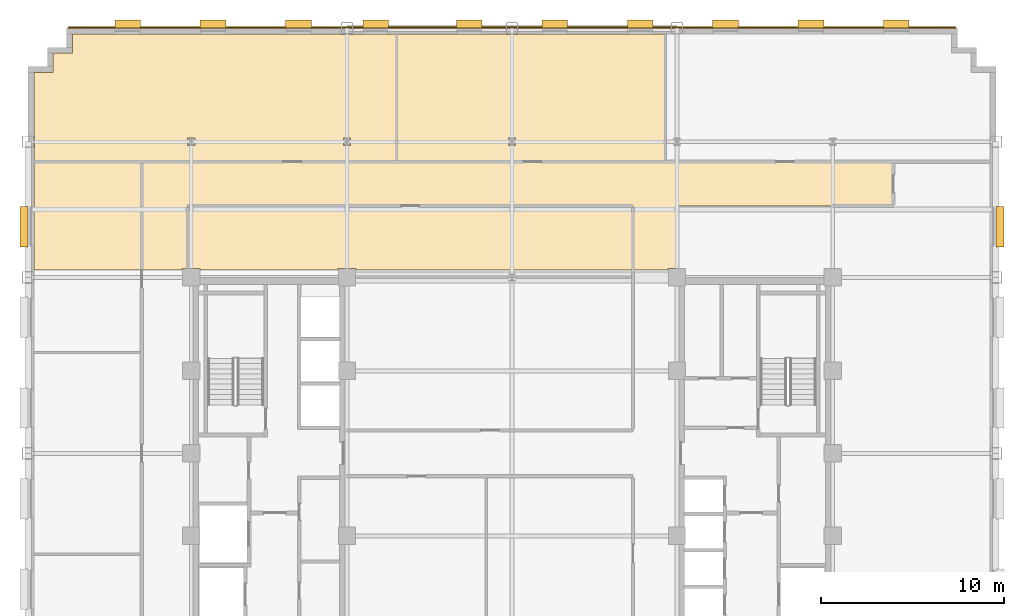
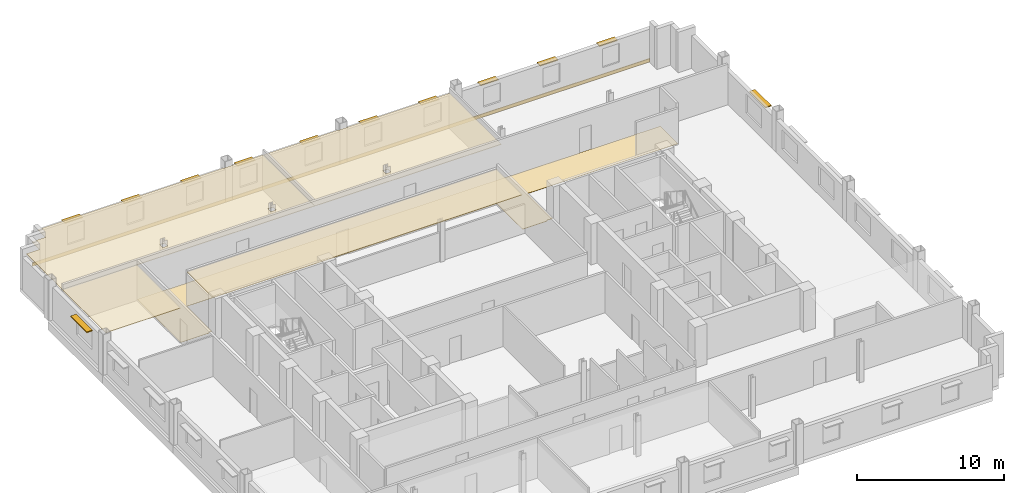
# One storey, part 13 of 13: 12 shading devices, 6 coverings.
"""IFC4 building model written with IfcOpenShell, lengths in metres."""

import ifcopenshell
import ifcopenshell.guid

model = None  # the IFC model being written
_history = None  # IfcOwnerHistory: only IFC2X3 demands one
_inside = {}  # id of a spatial element -> (the spatial element, [elements in it])
_under = {}  # id of a project, library or spatial element -> (it, [spatial elements below it])
_declared = {}  # id of a project -> (the project, [libraries it declares])
_typed = {}  # id of a type object -> (the type object, [elements of that type])
_made_of = {}  # id of a material, layer set ... -> (it, [elements and type objects made of it])


def new_model(schema):
    """Start an empty IFC model of exactly this schema.

    Asked for "IFC4X3", IfcOpenShell would pick the latest addendum, in which some entities
    have other attributes; the version numbers below select the first issue.
    IFC2X3 requires an IfcOwnerHistory on every rooted entity: one is made here for all.
    """
    global model, _history
    if schema == "IFC4X3":
        model = ifcopenshell.file(schema_version=(4, 3, 0, 0))
    else:
        model = ifcopenshell.file(schema=schema)
    _inside.clear()
    _under.clear()
    _declared.clear()
    _typed.clear()
    _made_of.clear()
    _history = None
    if model.schema == "IFC2X3":
        org = make("IfcOrganization", Name="unknown")
        user = make(
            "IfcPersonAndOrganization",
            ThePerson=make("IfcPerson", FamilyName="unknown"),
            TheOrganization=org,
        )
        app = make(
            "IfcApplication",
            ApplicationDeveloper=org,
            Version="unknown",
            ApplicationFullName="unknown",
            ApplicationIdentifier="unknown",
        )
        _history = make(
            "IfcOwnerHistory",
            OwningUser=user,
            OwningApplication=app,
            ChangeAction="ADDED",
            CreationDate=0,
        )
    return model


def make(cls, **values):
    """One entity of the class cls with the attributes given. An attribute that is None is left unset."""
    return model.create_entity(
        cls, **{name: value for name, value in values.items() if value is not None}
    )


def rooted(cls, **values):
    """An entity with a GlobalId (a new one), such as an element, a storey or a relation."""
    return make(cls, GlobalId=ifcopenshell.guid.new(), OwnerHistory=_history, **values)


def si_unit(unit_type, name, prefix=None):
    """IfcSIUnit, for example si_unit("LENGTHUNIT", "METRE", prefix="MILLI")."""
    return make("IfcSIUnit", UnitType=unit_type, Prefix=prefix, Name=name)


def assignment(units):
    """IfcUnitAssignment: the units of a project."""
    return None if units is None else make("IfcUnitAssignment", Units=units)


def point(xyz):
    """IfcCartesianPoint."""
    return None if xyz is None else make("IfcCartesianPoint", Coordinates=xyz)


def direction(xyz):
    """IfcDirection."""
    return None if xyz is None else make("IfcDirection", DirectionRatios=xyz)


def frame(location, z_axis=None, x_axis=None):
    """IfcAxis2Placement3D, a coordinate frame: its origin and axes. An axis left out is left unset."""
    return make(
        "IfcAxis2Placement3D",
        Location=point(location),
        Axis=direction(z_axis),
        RefDirection=direction(x_axis),
    )


def frame_2d(location, x_axis=None):
    """IfcAxis2Placement2D, a coordinate frame in the plane: its origin and x axis."""
    return make(
        "IfcAxis2Placement2D", Location=point(location), RefDirection=direction(x_axis)
    )


def origin():
    """The frame at (0, 0, 0) with its axes left unset."""
    return frame((0.0, 0.0, 0.0))


def origin_2d():
    """The frame at (0, 0) in the plane with its x axis left unset."""
    return frame_2d((0.0, 0.0))


def place(relative_to, where):
    """IfcLocalPlacement: puts the frame where relative to a parent placement (None: the world)."""
    return make(
        "IfcLocalPlacement", PlacementRelTo=relative_to, RelativePlacement=where
    )


def context(
    kind, dimensions, precision=None, world=None, true_north=None, identifier=None
):
    """IfcGeometricRepresentationContext, for example the 3D "Model" context."""
    return make(
        "IfcGeometricRepresentationContext",
        ContextIdentifier=identifier,
        ContextType=kind,
        CoordinateSpaceDimension=dimensions,
        Precision=precision,
        WorldCoordinateSystem=world,
        TrueNorth=true_north,
    )


def subcontext(parent, identifier, kind, view, scale=None):
    """IfcGeometricRepresentationSubContext, for example "Body" below "Model"."""
    return make(
        "IfcGeometricRepresentationSubContext",
        ContextIdentifier=identifier,
        ContextType=kind,
        ParentContext=parent,
        TargetScale=scale,
        TargetView=view,
    )


def project(units=None, contexts=None):
    """IfcProject with its units and contexts."""
    return rooted(
        "IfcProject",
        Name="project",
        RepresentationContexts=contexts,
        UnitsInContext=assignment(units),
    )


def spatial(cls, under=None, at=None, **own):
    """A site, building, storey or space (cls), placed at a placement, below another one or the project."""
    s = rooted(cls, ObjectPlacement=at, **own)
    if under is not None:
        _under.setdefault(under.id(), (under, []))[1].append(s)
    return s


def polyline(points):
    """IfcPolyline through the points."""
    return make("IfcPolyline", Points=[point(p) for p in points])


def profile(cls, at=None, kind="AREA", **sizes):
    """A parametric profile (cls). Its sizes go by their IFC names, for example OverallWidth=200.0."""
    return make(cls, ProfileType=kind, Position=at, **sizes)


def rectangle(**sizes):
    """IfcRectangleProfileDef."""
    return profile("IfcRectangleProfileDef", **sizes)


def outline(outer, holes=None, kind="AREA"):
    """IfcArbitraryClosedProfileDef: a profile drawn as a closed curve; with holes, ...WithVoids."""
    if holes is None:
        return make("IfcArbitraryClosedProfileDef", ProfileType=kind, OuterCurve=outer)
    return make(
        "IfcArbitraryProfileDefWithVoids",
        ProfileType=kind,
        OuterCurve=outer,
        InnerCurves=holes,
    )


def extrude(swept, where, along, depth):
    """IfcExtrudedAreaSolid: the profile swept, set in the frame where, extruded along a direction by depth."""
    return make(
        "IfcExtrudedAreaSolid",
        SweptArea=swept,
        Position=where,
        ExtrudedDirection=direction(along),
        Depth=depth,
    )


def shape(context_of_items, identifier, shape_type, items):
    """IfcShapeRepresentation: the items that make up one representation, for example the "Body"."""
    return make(
        "IfcShapeRepresentation",
        ContextOfItems=context_of_items,
        RepresentationIdentifier=identifier,
        RepresentationType=shape_type,
        Items=items,
    )


def source(mapping_origin, context_of_items, identifier, shape_type, items):
    """IfcRepresentationMap: a shape defined once, which mapped items show again and again."""
    return make(
        "IfcRepresentationMap",
        MappingOrigin=mapping_origin,
        MappedRepresentation=shape(context_of_items, identifier, shape_type, items),
    )


def transform(
    local_origin,
    x_axis=None,
    y_axis=None,
    z_axis=None,
    scale=None,
    scale2=None,
    scale3=None,
    uniform=True,
):
    """IfcCartesianTransformationOperator3D, or its non-uniform kind. x_axis, y_axis, z_axis: its Axis1, 2, 3."""
    if uniform:
        return make(
            "IfcCartesianTransformationOperator3D",
            Axis1=direction(x_axis),
            Axis2=direction(y_axis),
            LocalOrigin=point(local_origin),
            Scale=scale,
            Axis3=direction(z_axis),
        )
    return make(
        "IfcCartesianTransformationOperator3DnonUniform",
        Axis1=direction(x_axis),
        Axis2=direction(y_axis),
        LocalOrigin=point(local_origin),
        Scale=scale,
        Axis3=direction(z_axis),
        Scale2=scale2,
        Scale3=scale3,
    )


def mapped(mapping_source, mapping_target):
    """IfcMappedItem: shows the shape of a source again, moved by a transform."""
    return make(
        "IfcMappedItem", MappingSource=mapping_source, MappingTarget=mapping_target
    )


def material(Name=None, Category=None):
    """IfcMaterial."""
    return make("IfcMaterial", Name=Name, Category=Category)


def layer(
    of_material, thickness, ventilated=None, Name=None, Category=None, Priority=None
):
    """IfcMaterialLayer: one layer of a wall or slab, of a material (None: an air gap)."""
    return make(
        "IfcMaterialLayer",
        Material=of_material,
        LayerThickness=thickness,
        IsVentilated=ventilated,
        Name=Name,
        Category=Category,
        Priority=Priority,
    )


def layer_set(layers, Name=None):
    """IfcMaterialLayerSet."""
    return make("IfcMaterialLayerSet", MaterialLayers=layers, LayerSetName=Name)


def made_of(thing, what):
    """Note that an element or type object is made of a material, layer set ...; save() writes the relation."""
    if what is not None:
        _made_of.setdefault(what.id(), (what, []))[1].append(thing)
    return thing


def type_object(cls, material=None, **own):
    """A type object (cls), such as IfcWallType, which elements share."""
    return made_of(rooted(cls, **own), material)


def type_shapes(of_type, sources):
    """Give a type object the sources (RepresentationMaps) that its elements show as mapped items."""
    of_type.RepresentationMaps = sources


def element(
    cls,
    number,
    at=None,
    inside=None,
    cuts=None,
    type_object=None,
    material=None,
    context=None,
    identifier="Body",
    shape_type=None,
    held_by="IfcProductDefinitionShape",
    body=None,
    shapes=None,
    **own,
):
    """One element of the class cls, such as IfcWall. Its Tag is "e" and its number.

    at: its placement. inside: the storey or other place that contains it. cuts: it is an
    opening in that element (IfcRelVoidsElement). A single representation is given by context,
    identifier, shape_type and body (its items); several are given by shapes. held_by: the class
    of the entity that holds the representations. save() writes the other relations.
    """
    e = rooted(cls, Tag="e%d" % number, ObjectPlacement=at, **own)
    if body is not None:
        shapes = [shape(context, identifier, shape_type, body)]
    if shapes is not None:
        e.Representation = make(held_by, Representations=shapes)
    if inside is not None:
        _inside.setdefault(inside.id(), (inside, []))[1].append(e)
    if cuts is not None:
        rooted(
            "IfcRelVoidsElement", RelatingBuildingElement=cuts, RelatedOpeningElement=e
        )
    if type_object is not None:
        _typed.setdefault(type_object.id(), (type_object, []))[1].append(e)
    return made_of(e, material)


def aggregate(whole, parts):
    """IfcRelAggregates: a whole, such as a stair, and the parts it consists of."""
    return rooted("IfcRelAggregates", RelatingObject=whole, RelatedObjects=parts)


def save(model, path):
    """Write the relations noted so far, then the file.

    IfcRelAggregates (storeys below a building ...), IfcRelContainedInSpatialStructure (elements
    in a storey), IfcRelDefinesByType, IfcRelAssociatesMaterial and IfcRelDeclares: one each for
    every whole, place, type object, material and project.
    """
    for whole, parts in _under.values():
        aggregate(whole, parts)
    for where, things in _inside.values():
        rooted(
            "IfcRelContainedInSpatialStructure",
            RelatedElements=things,
            RelatingStructure=where,
        )
    for kind, things in _typed.values():
        rooted("IfcRelDefinesByType", RelatedObjects=things, RelatingType=kind)
    for what, things in _made_of.values():
        rooted("IfcRelAssociatesMaterial", RelatedObjects=things, RelatingMaterial=what)
    for by, libraries in _declared.values():
        rooted("IfcRelDeclares", RelatingContext=by, RelatedDefinitions=libraries)
    model.write(path)


model = new_model("IFC4")

# Units and contexts
model_context = context("Model", 3, precision=1e-05, world=origin(), true_north=direction((0.0, 1.0)))
body_context = subcontext(model_context, "Body", "Model", "MODEL_VIEW")
ifc_project = project(units=[si_unit("LENGTHUNIT", "METRE"), si_unit("AREAUNIT", "SQUARE_METRE"), si_unit("VOLUMEUNIT", "CUBIC_METRE"), si_unit("PLANEANGLEUNIT", "RADIAN"), si_unit("MASSUNIT", "GRAM", prefix="KILO")], contexts=[model_context])

# Site, building, storey
site_placement = place(None, origin())
site = spatial("IfcSite", under=ifc_project, at=site_placement, CompositionType="ELEMENT")
building_placement = place(site_placement, origin())
building = spatial("IfcBuilding", under=site, at=building_placement, Name="Nuvemarco Arch Tower", CompositionType="ELEMENT")
storey_placement = place(building_placement, frame((0.0, 0.0, 153.050048828125)))
storey = spatial("IfcBuildingStorey", under=building, at=storey_placement, Name="L40", CompositionType="ELEMENT", Elevation=153.050048828125)

# Coverings
ifc_material_1 = material(Name="Mineral acoustic ceiling tile")
ifc_layer_1 = layer(ifc_material_1, 0.0400390625, Name="COV-ACOUSTIC-CLG")
ifc_layer_set_1 = layer_set([ifc_layer_1], Name="Mineral acoustic ceiling tile")
covering_type_1 = type_object("IfcCoveringType", Name="COV-ACOUSTIC-CLG", PredefinedType="CEILING", material=ifc_layer_set_1)
covering_1_placement = place(storey_placement, frame((0.0, 0.0, 2.849853515625)))
element("IfcCovering", 1, at=covering_1_placement, inside=storey, type_object=covering_type_1, Name="L40 suspended acoustic ceiling 2", PredefinedType="CEILING", context=body_context, shape_type="SweptSolid", body=[
    extrude(outline(polyline([(-26.06005859375, 16.659912109375), (-26.06005859375, 17.340087890625), (-26.080078125, 17.340087890625), (-26.080078125, 20.780029296875), (-25.030029296875, 20.780029296875), (-25.030029296875, 21.830078125), (-23.97998046875, 21.830078125), (-23.97998046875, 22.8798828125), (-9.340087890625, 22.8798828125), (-9.340087890625, 22.860107421875), (-8.659912109375, 22.860107421875), (-8.659912109375, 22.8798828125), (-6.280029296875, 22.8798828125), (-6.280029296875, 15.89990234375), (-17.699951171875, 15.89990234375), (-20.199951171875, 15.89990234375), (-26.080078125, 15.89990234375), (-26.080078125, 16.659912109375), (-26.06005859375, 16.659912109375)]), holes=[polyline([(-17.304931640625, 16.804931640625), (-17.304931640625, 17.195068359375), (-17.695068359375, 17.195068359375), (-17.695068359375, 16.804931640625), (-17.304931640625, 16.804931640625)]), polyline([(-8.804931640625, 16.804931640625), (-8.804931640625, 17.195068359375), (-9.195068359375, 17.195068359375), (-9.195068359375, 16.804931640625), (-8.804931640625, 16.804931640625)])]), origin(), (0.0, 0.0, 1.0), 0.0400390625),
])
covering_2_placement = place(storey_placement, frame((0.0, 0.0, 2.849853515625)))
element("IfcCovering", 2, at=covering_2_placement, inside=storey, type_object=covering_type_1, Name="L40 suspended acoustic ceiling 3", PredefinedType="CEILING", context=body_context, shape_type="SweptSolid", body=[
    extrude(outline(polyline([(-0.340087890625, 22.860107421875), (0.340087890625, 22.860107421875), (0.340087890625, 22.8798828125), (8.35009765625, 22.8798828125), (8.35009765625, 15.89990234375), (6.60009765625, 15.89990234375), (-6.280029296875, 15.89990234375), (-6.280029296875, 22.8798828125), (-0.340087890625, 22.8798828125), (-0.340087890625, 22.860107421875)]), holes=[polyline([(0.195068359375, 16.804931640625), (0.195068359375, 17.195068359375), (-0.195068359375, 17.195068359375), (-0.195068359375, 16.804931640625), (0.195068359375, 16.804931640625)])]), origin(), (0.0, 0.0, 1.0), 0.0400390625),
])
covering_3_placement = place(storey_placement, frame((0.0, 0.0, 2.849853515625)))
element("IfcCovering", 3, at=covering_3_placement, inside=storey, type_object=covering_type_1, Name="L40 suspended acoustic ceiling 4", PredefinedType="CEILING", context=body_context, shape_type="SweptSolid", body=[
    extrude(outline(polyline([(6.60009765625, 13.5), (6.60009765625, 10.0), (-8.510009765625, 10.0), (-8.510009765625, 10.090087890625), (-9.489990234375, 10.090087890625), (-9.489990234375, 10.0), (-17.010009765625, 10.0), (-17.010009765625, 10.090087890625), (-17.699951171875, 10.090087890625), (-17.699951171875, 13.5), (6.60009765625, 13.5)])), origin(), (0.0, 0.0, 1.0), 0.0400390625),
])
covering_4_placement = place(storey_placement, frame((0.0, 0.0, 2.849853515625)))
element("IfcCovering", 4, at=covering_4_placement, inside=storey, type_object=covering_type_1, Name="L40 suspended acoustic ceiling 8", PredefinedType="CEILING", context=body_context, shape_type="SweptSolid", body=[
    extrude(outline(polyline([(-20.199951171875, 15.89990234375), (-20.199951171875, 13.5), (-20.199951171875, 10.0), (-26.080078125, 10.0), (-26.080078125, 15.89990234375), (-20.199951171875, 15.89990234375)])), origin(), (0.0, 0.0, 1.0), 0.0400390625),
])
ifc_material_2 = material(Name="Polished granite terrazzostone flooring", Category="masonry")
ifc_layer_2 = layer(ifc_material_2, 0.02001953125, Name="COV-LOBBY-FLR")
ifc_layer_set_2 = layer_set([ifc_layer_2], Name="Polished granite terrazzostone flooring")
covering_type_2 = type_object("IfcCoveringType", Name="COV-LOBBY-FLR", PredefinedType="FLOORING", material=ifc_layer_set_2)
covering_5_placement = place(storey_placement, origin())
element("IfcCovering", 5, at=covering_5_placement, inside=storey, type_object=covering_type_2, Name="L40 polished terrazzo lobby flooring", PredefinedType="FLOORING", context=body_context, shape_type="SweptSolid", body=[
    extrude(outline(polyline([(-20.199951171875, 13.5), (-20.199951171875, 15.89990234375), (-17.699951171875, 15.89990234375), (6.60009765625, 15.89990234375), (9.0, 15.89990234375), (20.800048828125, 15.89990234375), (20.800048828125, 13.5), (9.0, 13.5), (9.0, 10.090087890625), (8.510009765625, 10.090087890625), (8.510009765625, 10.0), (6.60009765625, 10.0), (6.60009765625, 13.5), (-17.699951171875, 13.5), (-17.699951171875, 10.090087890625), (-17.989990234375, 10.090087890625), (-17.989990234375, 10.0), (-20.199951171875, 10.0), (-20.199951171875, 13.5)])), origin(), (0.0, 0.0, 1.0), 0.02001953125),
])

# Shading devices
ifc_material_3 = material(Name="Anodised aluminium 6063-T6", Category="aluminium")
shading_device_type_1 = type_object("IfcShadingDeviceType", Name="SHD-BRISE-SOLEIL", PredefinedType="USERDEFINED", material=ifc_material_3)
shared_shape_1 = source(origin(), body_context, "Body", "SweptSolid", [
    extrude(rectangle(XDim=2.199951171875, YDim=0.449951171875, at=origin_2d()), origin(), (0.0, 0.0, 1.0), 0.080078125),
])
type_shapes(shading_device_type_1, [shared_shape_1])
for number, where, z_axis, x_axis, name in (
    (6, (26.614990234375, 12.364990234375, 2.364990234375), (0.0, 0.0, 1.0), (0.0, 1.0, 0.0), "L40 horizontal brise-soleil sunshade"),
    (7, (-26.614990234375, 12.364990234375, 2.364990234375), (0.0, 0.0, 1.0), (0.0, 1.0, 0.0), "L40 horizontal brise-soleil sunshade"),
):
    element("IfcShadingDevice", number, at=place(storey_placement, frame(where, z_axis=z_axis, x_axis=x_axis)), inside=storey, type_object=shading_device_type_1, Name=name, ObjectType="SUNSHADE", PredefinedType="USERDEFINED", context=body_context, shape_type="MappedRepresentation", body=[
        mapped(shared_shape_1, transform((0.0, 0.0, 0.0), scale=1.0)),
    ])
shading_device_type_2 = type_object("IfcShadingDeviceType", Name="SHD-BRISE-NARROW", PredefinedType="USERDEFINED", material=ifc_material_3)
shared_shape_2 = source(origin(), body_context, "Body", "SweptSolid", [
    extrude(rectangle(XDim=1.39990234375, YDim=0.449951171875, at=origin_2d()), origin(), (0.0, 0.0, 1.0), 0.080078125),
])
type_shapes(shading_device_type_2, [shared_shape_2])
for number, where, z_axis, x_axis, name in (
    (8, (-20.969970703125, 23.4150390625, 2.364990234375), (0.0, 0.0, 1.0), (1.0, 0.0, 0.0), "L40 horizontal brise-soleil sunshade"),
    (9, (-16.31005859375, 23.4150390625, 2.364990234375), (0.0, 0.0, 1.0), (1.0, 0.0, 0.0), "L40 horizontal brise-soleil sunshade"),
    (10, (-11.64990234375, 23.4150390625, 2.364990234375), (0.0, 0.0, 1.0), (1.0, 0.0, 0.0), "L40 horizontal brise-soleil sunshade"),
    (11, (-7.43994140625, 23.4150390625, 2.364990234375), (0.0, 0.0, 1.0), (1.0, 0.0, 0.0), "L40 horizontal brise-soleil sunshade"),
    (12, (-2.330078125, 23.4150390625, 2.364990234375), (0.0, 0.0, 1.0), (1.0, 0.0, 0.0), "L40 horizontal brise-soleil sunshade"),
    (13, (2.330078125, 23.4150390625, 2.364990234375), (0.0, 0.0, 1.0), (1.0, 0.0, 0.0), "L40 horizontal brise-soleil sunshade"),
    (14, (6.989990234375, 23.4150390625, 2.364990234375), (0.0, 0.0, 1.0), (1.0, 0.0, 0.0), "L40 horizontal brise-soleil sunshade"),
    (15, (11.64990234375, 23.4150390625, 2.364990234375), (0.0, 0.0, 1.0), (1.0, 0.0, 0.0), "L40 horizontal brise-soleil sunshade"),
    (16, (16.31005859375, 23.4150390625, 2.364990234375), (0.0, 0.0, 1.0), (1.0, 0.0, 0.0), "L40 horizontal brise-soleil sunshade"),
    (17, (20.969970703125, 23.4150390625, 2.364990234375), (0.0, 0.0, 1.0), (1.0, 0.0, 0.0), "L40 horizontal brise-soleil sunshade"),
):
    element("IfcShadingDevice", number, at=place(storey_placement, frame(where, z_axis=z_axis, x_axis=x_axis)), inside=storey, type_object=shading_device_type_2, Name=name, ObjectType="SUNSHADE", PredefinedType="USERDEFINED", context=body_context, shape_type="MappedRepresentation", body=[
        mapped(shared_shape_2, transform((0.0, 0.0, 0.0), scale=1.0)),
    ])

# Covering
ifc_material_4 = material(Name="Precast concrete C45/55", Category="concrete")
ifc_layer_3 = layer(ifc_material_4, 0.06005859375, Name="COV-SPANDREL-CLAD")
ifc_layer_set_3 = layer_set([ifc_layer_3], Name="Precast concrete C45/55")
covering_type_3 = type_object("IfcCoveringType", Name="COV-SPANDREL-CLAD", PredefinedType="CLADDING", material=ifc_layer_set_3)
shared_shape_3 = source(origin(), body_context, "Body", "SweptSolid", [
    extrude(rectangle(XDim=48.39990234375, YDim=0.06005859375, at=origin_2d()), origin(), (0.0, 0.0, 1.0), 0.280029296875),
])
type_shapes(covering_type_3, [shared_shape_3])
covering_6_placement = place(storey_placement, frame((0.0, 23.22900390625, -0.2802734375), z_axis=(0.0, 0.0, 1.0), x_axis=(1.0, 0.0, 0.0)))
element("IfcCovering", 18, at=covering_6_placement, inside=storey, type_object=covering_type_3, Name="L40 precast spandrel edge cladding north", PredefinedType="CLADDING", context=body_context, shape_type="MappedRepresentation", body=[
    mapped(shared_shape_3, transform((0.0, 0.0, 0.0), scale=1.0)),
])

save(model, "model.ifc")
